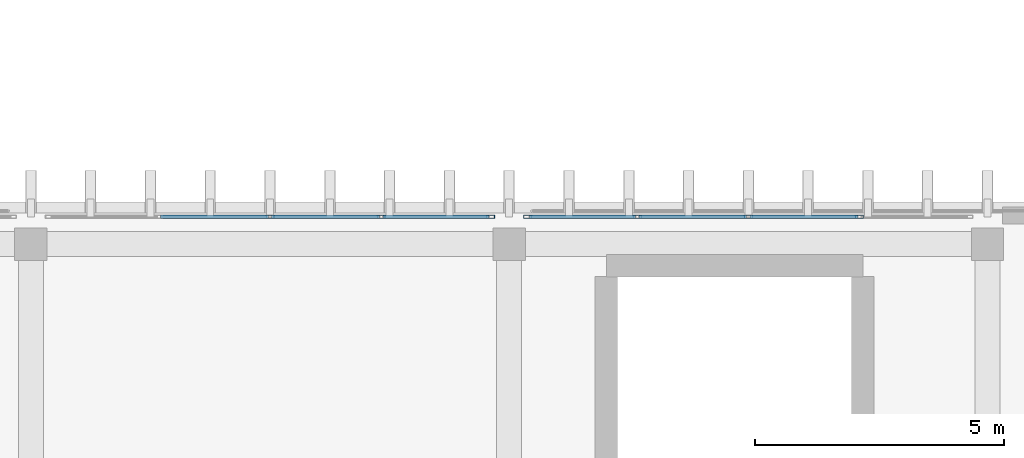
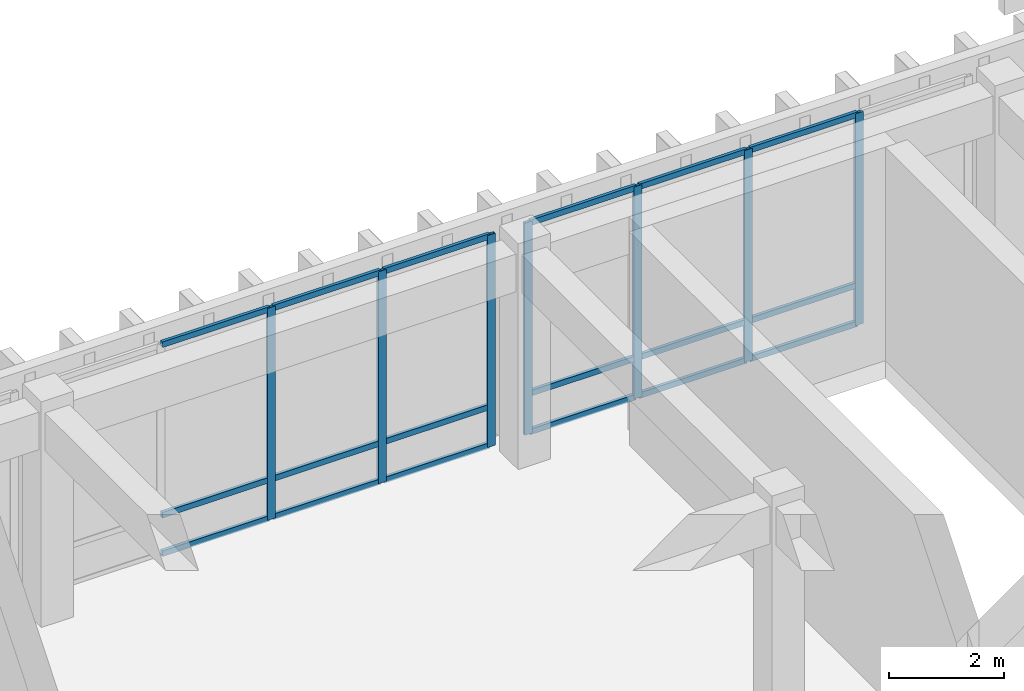
# One storey, part 50 of 101: 25 members, 2 elements without a shape of their own.
"""IFC4 building model written with IfcOpenShell, lengths in metres."""

from ifc_helpers import new_model, si_unit, direction, frame, origin, origin_2d, place, context, subcontext, project, spatial, hollow_rectangle, extrude, material, layer, layer_set, material_profile, profile_set, type_object, element, aggregate, save


model = new_model("IFC4")

# Units and contexts
model_context = context("Model", 3, precision=1e-05, world=origin(), true_north=direction((0.0, 1.0)))
body_context = subcontext(model_context, "Body", "Model", "MODEL_VIEW")
ifc_project = project(units=[si_unit("LENGTHUNIT", "METRE"), si_unit("AREAUNIT", "SQUARE_METRE"), si_unit("VOLUMEUNIT", "CUBIC_METRE"), si_unit("PLANEANGLEUNIT", "RADIAN"), si_unit("MASSUNIT", "GRAM", prefix="KILO")], contexts=[model_context])

# Site, building, storey
site_placement = place(None, origin())
site = spatial("IfcSite", under=ifc_project, at=site_placement, CompositionType="ELEMENT")
building_placement = place(site_placement, origin())
building = spatial("IfcBuilding", under=site, at=building_placement, Name="Nakhvara Creek Congress Hotel", CompositionType="ELEMENT")
storey_placement = place(building_placement, frame((0.0, 0.0, 16.199951171875)))
storey = spatial("IfcBuildingStorey", under=building, at=storey_placement, Name="L03", CompositionType="ELEMENT", Elevation=16.199951171875)

# Curtain wall, members
ifc_material_1 = material(Name="Bronze-anodised aluminium AW-6063-T6 and double-silver low-E glass", Category="aluminium")
ifc_layer = layer(ifc_material_1, 0.199951171875)
ifc_layer_set = layer_set([ifc_layer], Name="Bronze-anodised aluminium AW-6063-T6 and double-silver low-E glass")
curtain_wall_type = type_object("IfcCurtainWallType", Name="CW-POD-STICK", PredefinedType="NOTDEFINED", material=ifc_layer_set)
curtain_wall_1_placement = place(storey_placement, origin())
curtain_wall_1 = element("IfcCurtainWall", 1, at=curtain_wall_1_placement, inside=storey, type_object=curtain_wall_type, Name="Curtain Wall CW104", PredefinedType="NOTDEFINED")
ifc_material_2 = material(Name="Bronze-anodised aluminium AW-6063-T6", Category="aluminium")
ifc_material_profile_1 = material_profile(ifc_material_2, hollow_rectangle(XDim=0.06494140625, YDim=0.159912109375, WallThickness=0.00390625, at=origin_2d()), Name="ALU-MULL 65x160x4", Category="LoadBearing")
ifc_profile_set_1 = profile_set([ifc_material_profile_1], Name="Bronze-anodised aluminium AW-6063-T6")
member_type_1 = type_object("IfcMemberType", Name="CW-MULL-160", PredefinedType="MULLION", material=ifc_profile_set_1)
member_1_placement = place(storey_placement, frame((129.60009765625, 95.800048828125, 0.0), z_axis=(0.0, 0.0, 1.0), x_axis=(0.0, 1.0, 0.0)))
member_1 = element("IfcMember", 2, at=member_1_placement, type_object=member_type_1, Name="CW104 mullion 3", PredefinedType="MULLION", context=body_context, shape_type="SweptSolid", body=[
    extrude(hollow_rectangle(XDim=0.06494140625, YDim=0.159912109375, WallThickness=0.00390625, at=origin_2d()), origin(), (0.0, 0.0, 1.0), 4.510009765625),
])
member_2_placement = place(storey_placement, frame((131.830078125, 95.800048828125, 0.0), z_axis=(0.0, 0.0, 1.0), x_axis=(0.0, 1.0, 0.0)))
member_2 = element("IfcMember", 3, at=member_2_placement, type_object=member_type_1, Name="CW104 mullion 4", PredefinedType="MULLION", context=body_context, shape_type="SweptSolid", body=[
    extrude(hollow_rectangle(XDim=0.06494140625, YDim=0.159912109375, WallThickness=0.00390625, at=origin_2d()), origin(), (0.0, 0.0, 1.0), 4.510009765625),
])
member_3_placement = place(storey_placement, frame((134.027587890625, 95.800048828125, 0.0), z_axis=(0.0, 0.0, 1.0), x_axis=(0.0, 1.0, 0.0)))
member_3 = element("IfcMember", 4, at=member_3_placement, type_object=member_type_1, Name="CW104 mullion 5", PredefinedType="MULLION", context=body_context, shape_type="SweptSolid", body=[
    extrude(hollow_rectangle(XDim=0.06494140625, YDim=0.159912109375, WallThickness=0.00390625, at=origin_2d()), origin(), (0.0, 0.0, 1.0), 4.510009765625),
])

curtain_wall_2_placement = place(storey_placement, origin())
curtain_wall_2 = element("IfcCurtainWall", 5, at=curtain_wall_2_placement, inside=storey, type_object=curtain_wall_type, Name="Curtain Wall CW105", PredefinedType="NOTDEFINED")
member_4_placement = place(storey_placement, frame((134.7724609375, 95.800048828125, 0.0), z_axis=(0.0, 0.0, 1.0), x_axis=(0.0, 1.0, 0.0)))
member_4 = element("IfcMember", 6, at=member_4_placement, type_object=member_type_1, Name="CW105 mullion 1", PredefinedType="MULLION", context=body_context, shape_type="SweptSolid", body=[
    extrude(hollow_rectangle(XDim=0.06494140625, YDim=0.159912109375, WallThickness=0.00390625, at=origin_2d()), origin(), (0.0, 0.0, 1.0), 4.510009765625),
])
member_5_placement = place(storey_placement, frame((136.969970703125, 95.800048828125, 0.0), z_axis=(0.0, 0.0, 1.0), x_axis=(0.0, 1.0, 0.0)))
member_5 = element("IfcMember", 7, at=member_5_placement, type_object=member_type_1, Name="CW105 mullion 2", PredefinedType="MULLION", context=body_context, shape_type="SweptSolid", body=[
    extrude(hollow_rectangle(XDim=0.06494140625, YDim=0.159912109375, WallThickness=0.00390625, at=origin_2d()), origin(), (0.0, 0.0, 1.0), 4.510009765625),
])
member_6_placement = place(storey_placement, frame((139.199951171875, 95.800048828125, 0.0), z_axis=(0.0, 0.0, 1.0), x_axis=(0.0, 1.0, 0.0)))
member_6 = element("IfcMember", 8, at=member_6_placement, type_object=member_type_1, Name="CW105 mullion 3", PredefinedType="MULLION", context=body_context, shape_type="SweptSolid", body=[
    extrude(hollow_rectangle(XDim=0.06494140625, YDim=0.159912109375, WallThickness=0.00390625, at=origin_2d()), origin(), (0.0, 0.0, 1.0), 4.510009765625),
])
member_7_placement = place(storey_placement, frame((141.429931640625, 95.800048828125, 0.0), z_axis=(0.0, 0.0, 1.0), x_axis=(0.0, 1.0, 0.0)))
member_7 = element("IfcMember", 9, at=member_7_placement, type_object=member_type_1, Name="CW105 mullion 4", PredefinedType="MULLION", context=body_context, shape_type="SweptSolid", body=[
    extrude(hollow_rectangle(XDim=0.06494140625, YDim=0.159912109375, WallThickness=0.00390625, at=origin_2d()), origin(), (0.0, 0.0, 1.0), 4.510009765625),
])

# Member
ifc_material_profile_2 = material_profile(ifc_material_2, hollow_rectangle(XDim=0.06494140625, YDim=0.1201171875, WallThickness=0.00390625, at=origin_2d()), Name="ALU-TRAN 65x120x4", Category="LoadBearing")
ifc_profile_set_2 = profile_set([ifc_material_profile_2], Name="Bronze-anodised aluminium AW-6063-T6")
member_type_2 = type_object("IfcMemberType", Name="CW-TRAN-120", PredefinedType="USERDEFINED", material=ifc_profile_set_2)
member_8_placement = place(storey_placement, frame((127.402587890625, 95.800048828125, 0.032470703125), z_axis=(1.0, 0.0, 0.0), x_axis=(0.0, 1.0, 0.0)))
member_8 = element("IfcMember", 10, at=member_8_placement, type_object=member_type_2, Name="CW104 transom 2.1", ObjectType="TRANSOM", PredefinedType="USERDEFINED", context=body_context, shape_type="SweptSolid", body=[
    extrude(hollow_rectangle(XDim=0.06494140625, YDim=0.1201171875, WallThickness=0.00390625, at=origin_2d()), origin(), (0.0, 0.0, 1.0), 2.164794921875),
])

member_9_placement = place(storey_placement, frame((127.402587890625, 95.800048828125, 0.85009765625), z_axis=(1.0, 0.0, 0.0), x_axis=(0.0, 1.0, 0.0)))
member_9 = element("IfcMember", 11, at=member_9_placement, type_object=member_type_2, Name="CW104 transom 2.2", ObjectType="TRANSOM", PredefinedType="USERDEFINED", context=body_context, shape_type="SweptSolid", body=[
    extrude(hollow_rectangle(XDim=0.06494140625, YDim=0.1201171875, WallThickness=0.00390625, at=origin_2d()), origin(), (0.0, 0.0, 1.0), 2.164794921875),
])

member_10_placement = place(storey_placement, frame((127.402587890625, 95.800048828125, 4.4775390625), z_axis=(1.0, 0.0, 0.0), x_axis=(0.0, 1.0, 0.0)))
member_10 = element("IfcMember", 12, at=member_10_placement, type_object=member_type_2, Name="CW104 transom 2.3", ObjectType="TRANSOM", PredefinedType="USERDEFINED", context=body_context, shape_type="SweptSolid", body=[
    extrude(hollow_rectangle(XDim=0.06494140625, YDim=0.1201171875, WallThickness=0.00390625, at=origin_2d()), origin(), (0.0, 0.0, 1.0), 2.164794921875),
])

member_11_placement = place(storey_placement, frame((129.632568359375, 95.800048828125, 0.032470703125), z_axis=(1.0, 0.0, 0.0), x_axis=(0.0, 1.0, 0.0)))
member_11 = element("IfcMember", 13, at=member_11_placement, type_object=member_type_2, Name="CW104 transom 3.1", ObjectType="TRANSOM", PredefinedType="USERDEFINED", context=body_context, shape_type="SweptSolid", body=[
    extrude(hollow_rectangle(XDim=0.06494140625, YDim=0.1201171875, WallThickness=0.00390625, at=origin_2d()), origin(), (0.0, 0.0, 1.0), 2.1650390625),
])

member_12_placement = place(storey_placement, frame((129.632568359375, 95.800048828125, 0.85009765625), z_axis=(1.0, 0.0, 0.0), x_axis=(0.0, 1.0, 0.0)))
member_12 = element("IfcMember", 14, at=member_12_placement, type_object=member_type_2, Name="CW104 transom 3.2", ObjectType="TRANSOM", PredefinedType="USERDEFINED", context=body_context, shape_type="SweptSolid", body=[
    extrude(hollow_rectangle(XDim=0.06494140625, YDim=0.1201171875, WallThickness=0.00390625, at=origin_2d()), origin(), (0.0, 0.0, 1.0), 2.1650390625),
])

member_13_placement = place(storey_placement, frame((129.632568359375, 95.800048828125, 4.4775390625), z_axis=(1.0, 0.0, 0.0), x_axis=(0.0, 1.0, 0.0)))
member_13 = element("IfcMember", 15, at=member_13_placement, type_object=member_type_2, Name="CW104 transom 3.3", ObjectType="TRANSOM", PredefinedType="USERDEFINED", context=body_context, shape_type="SweptSolid", body=[
    extrude(hollow_rectangle(XDim=0.06494140625, YDim=0.1201171875, WallThickness=0.00390625, at=origin_2d()), origin(), (0.0, 0.0, 1.0), 2.1650390625),
])

member_14_placement = place(storey_placement, frame((131.862548828125, 95.800048828125, 0.032470703125), z_axis=(1.0, 0.0, 0.0), x_axis=(0.0, 1.0, 0.0)))
member_14 = element("IfcMember", 16, at=member_14_placement, type_object=member_type_2, Name="CW104 transom 4.1", ObjectType="TRANSOM", PredefinedType="USERDEFINED", context=body_context, shape_type="SweptSolid", body=[
    extrude(hollow_rectangle(XDim=0.06494140625, YDim=0.1201171875, WallThickness=0.00390625, at=origin_2d()), origin(), (0.0, 0.0, 1.0), 2.132568359375),
])

member_15_placement = place(storey_placement, frame((131.862548828125, 95.800048828125, 0.85009765625), z_axis=(1.0, 0.0, 0.0), x_axis=(0.0, 1.0, 0.0)))
member_15 = element("IfcMember", 17, at=member_15_placement, type_object=member_type_2, Name="CW104 transom 4.2", ObjectType="TRANSOM", PredefinedType="USERDEFINED", context=body_context, shape_type="SweptSolid", body=[
    extrude(hollow_rectangle(XDim=0.06494140625, YDim=0.1201171875, WallThickness=0.00390625, at=origin_2d()), origin(), (0.0, 0.0, 1.0), 2.132568359375),
])

member_16_placement = place(storey_placement, frame((131.862548828125, 95.800048828125, 4.4775390625), z_axis=(1.0, 0.0, 0.0), x_axis=(0.0, 1.0, 0.0)))
member_16 = element("IfcMember", 18, at=member_16_placement, type_object=member_type_2, Name="CW104 transom 4.3", ObjectType="TRANSOM", PredefinedType="USERDEFINED", context=body_context, shape_type="SweptSolid", body=[
    extrude(hollow_rectangle(XDim=0.06494140625, YDim=0.1201171875, WallThickness=0.00390625, at=origin_2d()), origin(), (0.0, 0.0, 1.0), 2.132568359375),
])

aggregate(curtain_wall_1, [member_1, member_2, member_3, member_8, member_9, member_10, member_11, member_12, member_13, member_14, member_15, member_16])

member_17_placement = place(storey_placement, frame((134.804931640625, 95.800048828125, 0.032470703125), z_axis=(1.0, 0.0, 0.0), x_axis=(0.0, 1.0, 0.0)))
member_17 = element("IfcMember", 19, at=member_17_placement, type_object=member_type_2, Name="CW105 transom 1.1", ObjectType="TRANSOM", PredefinedType="USERDEFINED", context=body_context, shape_type="SweptSolid", body=[
    extrude(hollow_rectangle(XDim=0.06494140625, YDim=0.1201171875, WallThickness=0.00390625, at=origin_2d()), origin(), (0.0, 0.0, 1.0), 2.132568359375),
])

member_18_placement = place(storey_placement, frame((134.804931640625, 95.800048828125, 0.85009765625), z_axis=(1.0, 0.0, 0.0), x_axis=(0.0, 1.0, 0.0)))
member_18 = element("IfcMember", 20, at=member_18_placement, type_object=member_type_2, Name="CW105 transom 1.2", ObjectType="TRANSOM", PredefinedType="USERDEFINED", context=body_context, shape_type="SweptSolid", body=[
    extrude(hollow_rectangle(XDim=0.06494140625, YDim=0.1201171875, WallThickness=0.00390625, at=origin_2d()), origin(), (0.0, 0.0, 1.0), 2.132568359375),
])

member_19_placement = place(storey_placement, frame((134.804931640625, 95.800048828125, 4.4775390625), z_axis=(1.0, 0.0, 0.0), x_axis=(0.0, 1.0, 0.0)))
member_19 = element("IfcMember", 21, at=member_19_placement, type_object=member_type_2, Name="CW105 transom 1.3", ObjectType="TRANSOM", PredefinedType="USERDEFINED", context=body_context, shape_type="SweptSolid", body=[
    extrude(hollow_rectangle(XDim=0.06494140625, YDim=0.1201171875, WallThickness=0.00390625, at=origin_2d()), origin(), (0.0, 0.0, 1.0), 2.132568359375),
])

member_20_placement = place(storey_placement, frame((137.00244140625, 95.800048828125, 0.032470703125), z_axis=(1.0, 0.0, 0.0), x_axis=(0.0, 1.0, 0.0)))
member_20 = element("IfcMember", 22, at=member_20_placement, type_object=member_type_2, Name="CW105 transom 2.1", ObjectType="TRANSOM", PredefinedType="USERDEFINED", context=body_context, shape_type="SweptSolid", body=[
    extrude(hollow_rectangle(XDim=0.06494140625, YDim=0.1201171875, WallThickness=0.00390625, at=origin_2d()), origin(), (0.0, 0.0, 1.0), 2.1650390625),
])

member_21_placement = place(storey_placement, frame((137.00244140625, 95.800048828125, 0.85009765625), z_axis=(1.0, 0.0, 0.0), x_axis=(0.0, 1.0, 0.0)))
member_21 = element("IfcMember", 23, at=member_21_placement, type_object=member_type_2, Name="CW105 transom 2.2", ObjectType="TRANSOM", PredefinedType="USERDEFINED", context=body_context, shape_type="SweptSolid", body=[
    extrude(hollow_rectangle(XDim=0.06494140625, YDim=0.1201171875, WallThickness=0.00390625, at=origin_2d()), origin(), (0.0, 0.0, 1.0), 2.1650390625),
])

member_22_placement = place(storey_placement, frame((137.00244140625, 95.800048828125, 4.4775390625), z_axis=(1.0, 0.0, 0.0), x_axis=(0.0, 1.0, 0.0)))
member_22 = element("IfcMember", 24, at=member_22_placement, type_object=member_type_2, Name="CW105 transom 2.3", ObjectType="TRANSOM", PredefinedType="USERDEFINED", context=body_context, shape_type="SweptSolid", body=[
    extrude(hollow_rectangle(XDim=0.06494140625, YDim=0.1201171875, WallThickness=0.00390625, at=origin_2d()), origin(), (0.0, 0.0, 1.0), 2.1650390625),
])

member_23_placement = place(storey_placement, frame((139.232421875, 95.800048828125, 0.032470703125), z_axis=(1.0, 0.0, 0.0), x_axis=(0.0, 1.0, 0.0)))
member_23 = element("IfcMember", 25, at=member_23_placement, type_object=member_type_2, Name="CW105 transom 3.1", ObjectType="TRANSOM", PredefinedType="USERDEFINED", context=body_context, shape_type="SweptSolid", body=[
    extrude(hollow_rectangle(XDim=0.06494140625, YDim=0.1201171875, WallThickness=0.00390625, at=origin_2d()), origin(), (0.0, 0.0, 1.0), 2.1650390625),
])

member_24_placement = place(storey_placement, frame((139.232421875, 95.800048828125, 0.85009765625), z_axis=(1.0, 0.0, 0.0), x_axis=(0.0, 1.0, 0.0)))
member_24 = element("IfcMember", 26, at=member_24_placement, type_object=member_type_2, Name="CW105 transom 3.2", ObjectType="TRANSOM", PredefinedType="USERDEFINED", context=body_context, shape_type="SweptSolid", body=[
    extrude(hollow_rectangle(XDim=0.06494140625, YDim=0.1201171875, WallThickness=0.00390625, at=origin_2d()), origin(), (0.0, 0.0, 1.0), 2.1650390625),
])

member_25_placement = place(storey_placement, frame((139.232421875, 95.800048828125, 4.4775390625), z_axis=(1.0, 0.0, 0.0), x_axis=(0.0, 1.0, 0.0)))
member_25 = element("IfcMember", 27, at=member_25_placement, type_object=member_type_2, Name="CW105 transom 3.3", ObjectType="TRANSOM", PredefinedType="USERDEFINED", context=body_context, shape_type="SweptSolid", body=[
    extrude(hollow_rectangle(XDim=0.06494140625, YDim=0.1201171875, WallThickness=0.00390625, at=origin_2d()), origin(), (0.0, 0.0, 1.0), 2.1650390625),
])

aggregate(curtain_wall_2, [member_4, member_5, member_6, member_7, member_17, member_18, member_19, member_20, member_21, member_22, member_23, member_24, member_25])

save(model, "model.ifc")
